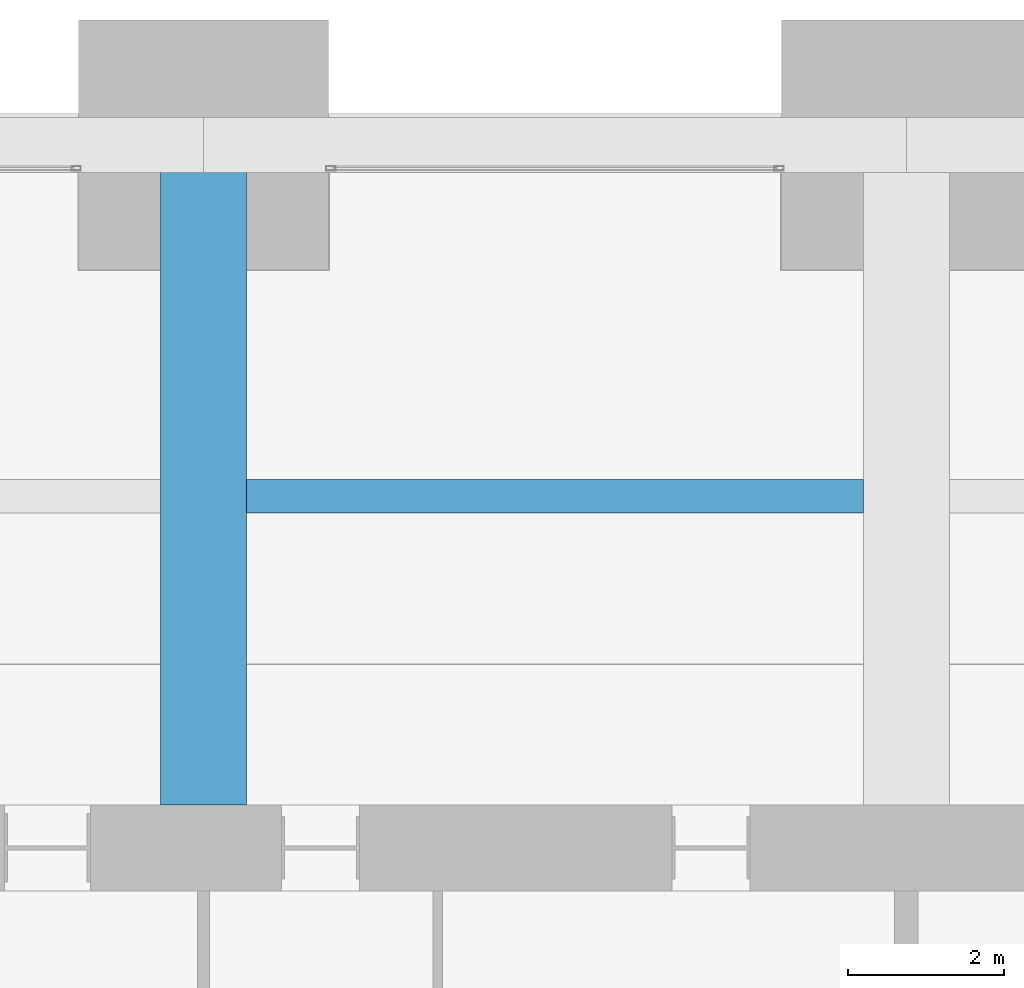
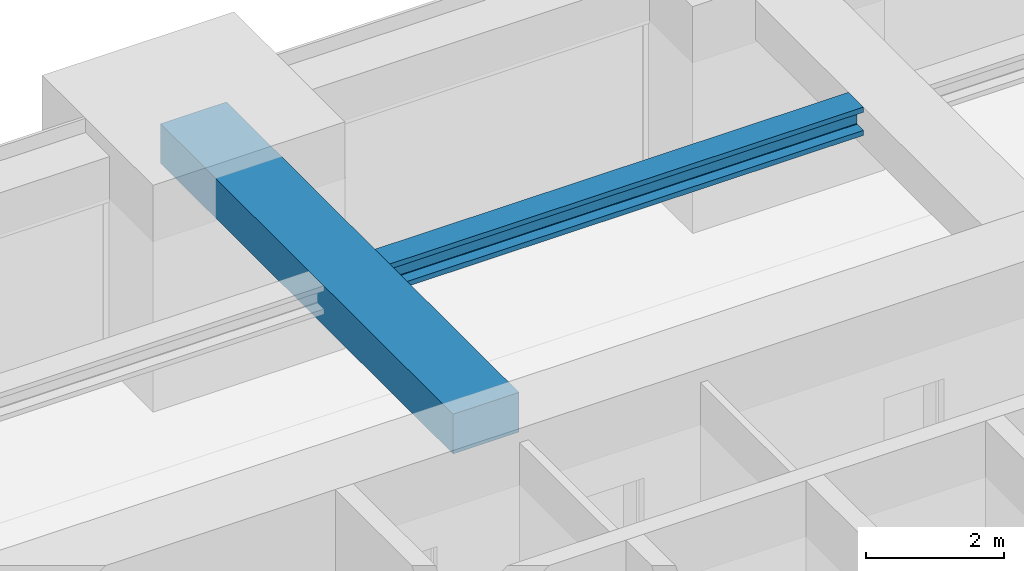
# One storey, part 31 of 43: 2 beams.
"""IFC4 building model written with IfcOpenShell, lengths in metres."""

from ifc_helpers import new_model, si_unit, direction, frame, origin, origin_2d, place, context, subcontext, project, spatial, rectangle, i_section, extrude, material, material_profile, profile_set, type_object, element, save


model = new_model("IFC4")

# Units and contexts
model_context = context("Model", 3, precision=1e-05, world=origin(), true_north=direction((0.0, 1.0)))
body_context = subcontext(model_context, "Body", "Model", "MODEL_VIEW")
ifc_project = project(units=[si_unit("LENGTHUNIT", "METRE"), si_unit("AREAUNIT", "SQUARE_METRE"), si_unit("VOLUMEUNIT", "CUBIC_METRE"), si_unit("PLANEANGLEUNIT", "RADIAN"), si_unit("MASSUNIT", "GRAM", prefix="KILO")], contexts=[model_context])

# Site, building, storey
site_placement = place(None, origin())
site = spatial("IfcSite", under=ifc_project, at=site_placement, CompositionType="ELEMENT")
building_placement = place(site_placement, origin())
building = spatial("IfcBuilding", under=site, at=building_placement, Name="Zorevar Civic Tower", CompositionType="ELEMENT")
storey_placement = place(building_placement, frame((0.0, 0.0, 243.39990234375)))
storey = spatial("IfcBuildingStorey", under=building, at=storey_placement, Name="L59", CompositionType="ELEMENT", Elevation=243.39990234375)

# Beams
ifc_material_1 = material(Name="Concrete C50/60", Category="concrete")
ifc_material_profile_1 = material_profile(ifc_material_1, rectangle(XDim=1.10009765625, YDim=0.699951171875, at=origin_2d()), Name="RC 1100x700")
ifc_profile_set_1 = profile_set([ifc_material_profile_1], Name="Concrete C50/60")
beam_type_1 = type_object("IfcBeamType", Name="Beam RC 1100x700", PredefinedType="BEAM", material=ifc_profile_set_1)
beam_1_placement = place(storey_placement, frame((27.0, 36.550048828125, 3.400146484375), z_axis=(0.0, 1.0, 0.0), x_axis=(-1.0, 0.0, 0.0)))
element("IfcBeam", 1, at=beam_1_placement, inside=storey, type_object=beam_type_1, Name="Girder L60", PredefinedType="BEAM", context=body_context, shape_type="SweptSolid", body=[
    extrude(rectangle(XDim=1.10009765625, YDim=0.699951171875, at=origin_2d()), origin(), (0.0, 0.0, 1.0), 8.449951171875),
])
ifc_material_2 = material(Name="Steel S460M (HISTAR 460)", Category="steel")
ifc_material_profile_2 = material_profile(ifc_material_2, i_section(OverallWidth=0.431884765625, OverallDepth=0.498046875, WebThickness=0.0556640625, FlangeThickness=0.0888671875, FilletRadius=0.014892578125, at=origin_2d()), Name="HD 400x744")
ifc_profile_set_2 = profile_set([ifc_material_profile_2], Name="Steel S460M (HISTAR 460)")
beam_type_2 = type_object("IfcBeamType", Name="Core bay beam HD 400x744", PredefinedType="BEAM", material=ifc_profile_set_2)
beam_2_placement = place(storey_placement, frame((27.550048828125, 40.5, 3.5009765625), z_axis=(1.0, 0.0, 0.0), x_axis=(0.0, 1.0, 0.0)))
element("IfcBeam", 2, at=beam_2_placement, inside=storey, type_object=beam_type_2, Name="Secondary beam L60", PredefinedType="BEAM", context=body_context, shape_type="SweptSolid", body=[
    extrude(i_section(OverallWidth=0.431884765625, OverallDepth=0.498046875, WebThickness=0.0556640625, FlangeThickness=0.0888671875, FilletRadius=0.014892578125, at=origin_2d()), origin(), (0.0, 0.0, 1.0), 7.89990234375),
])

save(model, "model.ifc")
